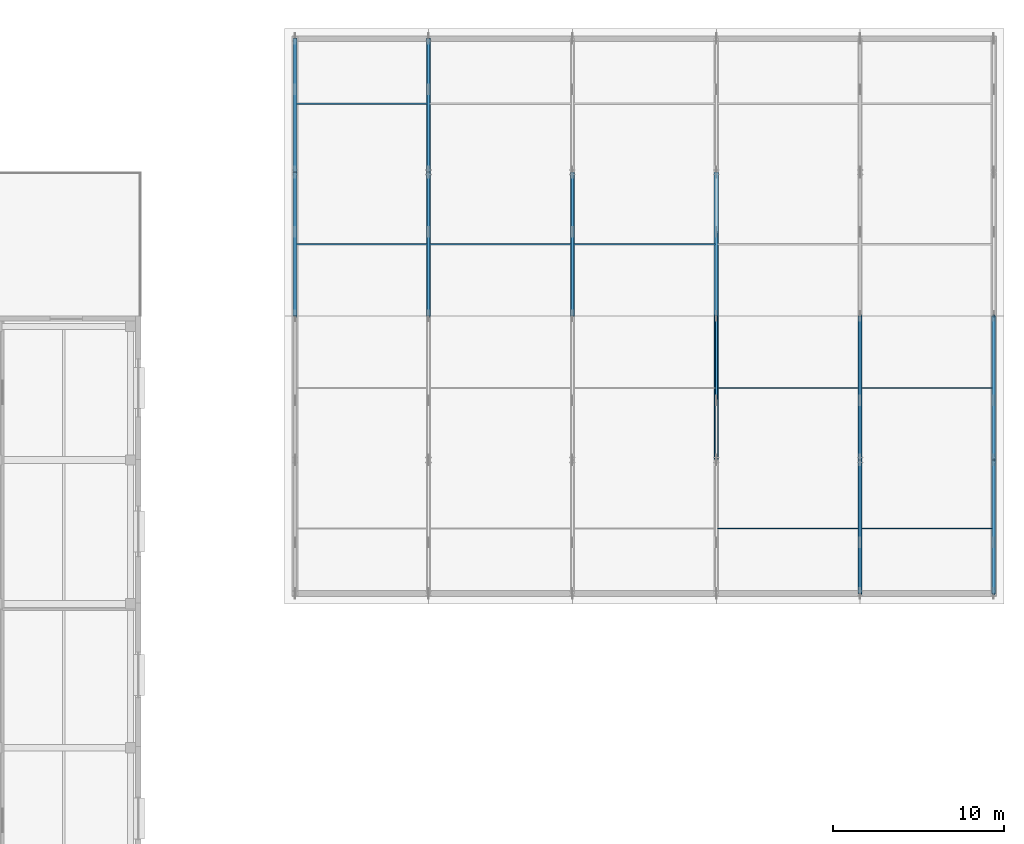
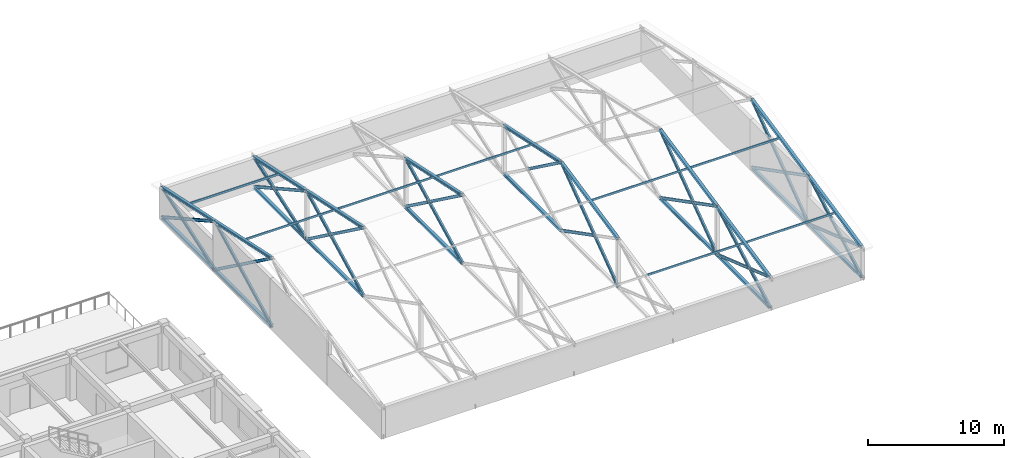
# One storey, part 84 of 123: 59 members.
"""IFC4 building model written with IfcOpenShell, lengths in metres."""

from ifc_helpers import new_model, si_unit, direction, frame, origin, origin_2d, place, context, subcontext, project, spatial, hollow_rectangle, i_section, extrude, material, material_profile, profile_set, type_object, element, save


model = new_model("IFC4")

# Units and contexts
model_context = context("Model", 3, precision=1e-05, world=origin(), true_north=direction((0.0, 1.0)))
body_context = subcontext(model_context, "Body", "Model", "MODEL_VIEW")
ifc_project = project(units=[si_unit("LENGTHUNIT", "METRE"), si_unit("AREAUNIT", "SQUARE_METRE"), si_unit("VOLUMEUNIT", "CUBIC_METRE"), si_unit("PLANEANGLEUNIT", "RADIAN"), si_unit("MASSUNIT", "GRAM", prefix="KILO")], contexts=[model_context])

# Site, building, storey
site_placement = place(None, origin())
site = spatial("IfcSite", under=ifc_project, at=site_placement, CompositionType="ELEMENT")
building_placement = place(site_placement, origin())
building = spatial("IfcBuilding", under=site, at=building_placement, Name="Zayran Congress Hotel", CompositionType="ELEMENT")
storey_placement = place(building_placement, frame((0.0, 0.0, 15.0)))
storey = spatial("IfcBuildingStorey", under=building, at=storey_placement, Name="L03", CompositionType="ELEMENT", Elevation=15.0)

# Members
ifc_material = material(Name="Steel S355", Category="steel")
ifc_material_profile_1 = material_profile(ifc_material, i_section(OverallWidth=0.239990234375, OverallDepth=0.239990234375, WebThickness=0.010009765625, FlangeThickness=0.01708984375, at=origin_2d()), Name="HEB 240")
ifc_profile_set_1 = profile_set([ifc_material_profile_1], Name="Steel S355")
member_type_1 = type_object("IfcMemberType", Name="TP-TR-CH1", PredefinedType="CHORD", material=ifc_profile_set_1)
member_1_placement = place(storey_placement, frame((143.39990234375, 101.199951171875, 0.0), z_axis=(0.0, 1.0, 0.0), x_axis=(-1.0, 0.0, 0.0)))
element("IfcMember", 1, at=member_1_placement, inside=storey, type_object=member_type_1, Name="Ballroom Truss Bottom Chord 582", PredefinedType="CHORD", context=body_context, shape_type="SweptSolid", body=[
    extrude(i_section(OverallWidth=0.239990234375, OverallDepth=0.239990234375, WebThickness=0.010009765625, FlangeThickness=0.01708984375, at=origin_2d()), origin(), (0.0, 0.0, 1.0), 8.400146484375),
])
member_2_placement = place(storey_placement, frame((143.39990234375, 101.199951171875, 6.12109375), z_axis=(0.0, 0.97814432608, -0.207927096258), x_axis=(-1.0, 0.0, 0.0)))
element("IfcMember", 2, at=member_2_placement, inside=storey, type_object=member_type_1, Name="Ballroom Truss Top Chord 583", PredefinedType="CHORD", context=body_context, shape_type="SweptSolid", body=[
    extrude(i_section(OverallWidth=0.239990234375, OverallDepth=0.239990234375, WebThickness=0.010009765625, FlangeThickness=0.01708984375, at=origin_2d()), origin(), (0.0, 0.0, 1.0), 8.587890625),
])
member_3_placement = place(storey_placement, frame((143.39990234375, 109.60009765625, 0.0), z_axis=(0.0, 1.0, 0.0), x_axis=(-1.0, 0.0, 0.0)))
element("IfcMember", 3, at=member_3_placement, inside=storey, type_object=member_type_1, Name="Ballroom Truss Bottom Chord 586", PredefinedType="CHORD", context=body_context, shape_type="SweptSolid", body=[
    extrude(i_section(OverallWidth=0.239990234375, OverallDepth=0.239990234375, WebThickness=0.010009765625, FlangeThickness=0.01708984375, at=origin_2d()), origin(), (0.0, 0.0, 1.0), 7.7998046875),
])
member_4_placement = place(storey_placement, frame((143.39990234375, 109.60009765625, 4.33544921875), z_axis=(0.0, 0.978146087871, -0.207918808149), x_axis=(-1.0, 0.0, 0.0)))
element("IfcMember", 4, at=member_4_placement, inside=storey, type_object=member_type_1, Name="Ballroom Truss Top Chord 587", PredefinedType="CHORD", context=body_context, shape_type="SweptSolid", body=[
    extrude(i_section(OverallWidth=0.239990234375, OverallDepth=0.239990234375, WebThickness=0.010009765625, FlangeThickness=0.01708984375, at=origin_2d()), origin(), (0.0, 0.0, 1.0), 7.97412109375),
])
member_5_placement = place(storey_placement, frame((151.199951171875, 101.199951171875, 0.0), z_axis=(0.0, 1.0, 0.0), x_axis=(-1.0, 0.0, 0.0)))
element("IfcMember", 5, at=member_5_placement, inside=storey, type_object=member_type_1, Name="Ballroom Truss Bottom Chord 598", PredefinedType="CHORD", context=body_context, shape_type="SweptSolid", body=[
    extrude(i_section(OverallWidth=0.239990234375, OverallDepth=0.239990234375, WebThickness=0.010009765625, FlangeThickness=0.01708984375, at=origin_2d()), origin(), (0.0, 0.0, 1.0), 8.400146484375),
])
member_6_placement = place(storey_placement, frame((151.199951171875, 101.199951171875, 6.12109375), z_axis=(0.0, 0.97814432608, -0.207927096258), x_axis=(-1.0, 0.0, 0.0)))
element("IfcMember", 6, at=member_6_placement, inside=storey, type_object=member_type_1, Name="Ballroom Truss Top Chord 599", PredefinedType="CHORD", context=body_context, shape_type="SweptSolid", body=[
    extrude(i_section(OverallWidth=0.239990234375, OverallDepth=0.239990234375, WebThickness=0.010009765625, FlangeThickness=0.01708984375, at=origin_2d()), origin(), (0.0, 0.0, 1.0), 8.587890625),
])
member_7_placement = place(storey_placement, frame((151.199951171875, 109.60009765625, 0.0), z_axis=(0.0, 1.0, 0.0), x_axis=(-1.0, 0.0, 0.0)))
element("IfcMember", 7, at=member_7_placement, inside=storey, type_object=member_type_1, Name="Ballroom Truss Bottom Chord 602", PredefinedType="CHORD", context=body_context, shape_type="SweptSolid", body=[
    extrude(i_section(OverallWidth=0.239990234375, OverallDepth=0.239990234375, WebThickness=0.010009765625, FlangeThickness=0.01708984375, at=origin_2d()), origin(), (0.0, 0.0, 1.0), 7.7998046875),
])
member_8_placement = place(storey_placement, frame((151.199951171875, 109.60009765625, 4.33544921875), z_axis=(0.0, 0.978146087871, -0.207918808149), x_axis=(-1.0, 0.0, 0.0)))
element("IfcMember", 8, at=member_8_placement, inside=storey, type_object=member_type_1, Name="Ballroom Truss Top Chord 603", PredefinedType="CHORD", context=body_context, shape_type="SweptSolid", body=[
    extrude(i_section(OverallWidth=0.239990234375, OverallDepth=0.239990234375, WebThickness=0.010009765625, FlangeThickness=0.01708984375, at=origin_2d()), origin(), (0.0, 0.0, 1.0), 7.97412109375),
])
member_9_placement = place(storey_placement, frame((159.60009765625, 101.199951171875, 0.0), z_axis=(0.0, 1.0, 0.0), x_axis=(-1.0, 0.0, 0.0)))
element("IfcMember", 9, at=member_9_placement, inside=storey, type_object=member_type_1, Name="Ballroom Truss Bottom Chord 614", PredefinedType="CHORD", context=body_context, shape_type="SweptSolid", body=[
    extrude(i_section(OverallWidth=0.239990234375, OverallDepth=0.239990234375, WebThickness=0.010009765625, FlangeThickness=0.01708984375, at=origin_2d()), origin(), (0.0, 0.0, 1.0), 8.400146484375),
])
member_10_placement = place(storey_placement, frame((159.60009765625, 101.199951171875, 6.12109375), z_axis=(0.0, 0.97814432608, -0.207927096258), x_axis=(-1.0, 0.0, 0.0)))
element("IfcMember", 10, at=member_10_placement, inside=storey, type_object=member_type_1, Name="Ballroom Truss Top Chord 615", PredefinedType="CHORD", context=body_context, shape_type="SweptSolid", body=[
    extrude(i_section(OverallWidth=0.239990234375, OverallDepth=0.239990234375, WebThickness=0.010009765625, FlangeThickness=0.01708984375, at=origin_2d()), origin(), (0.0, 0.0, 1.0), 8.587890625),
])
member_11_placement = place(storey_placement, frame((168.0, 92.800048828125, 4.33544921875), z_axis=(0.0, 0.978143096954, 0.20793287831), x_axis=(-1.0, 0.0, 0.0)))
element("IfcMember", 11, at=member_11_placement, inside=storey, type_object=member_type_1, Name="Ballroom Truss Top Chord 627", PredefinedType="CHORD", context=body_context, shape_type="SweptSolid", body=[
    extrude(i_section(OverallWidth=0.239990234375, OverallDepth=0.239990234375, WebThickness=0.010009765625, FlangeThickness=0.01708984375, at=origin_2d()), origin(), (0.0, 0.0, 1.0), 8.587646484375),
])
member_12_placement = place(storey_placement, frame((168.0, 101.199951171875, 0.0), z_axis=(0.0, 1.0, 0.0), x_axis=(-1.0, 0.0, 0.0)))
element("IfcMember", 12, at=member_12_placement, inside=storey, type_object=member_type_1, Name="Ballroom Truss Bottom Chord 630", PredefinedType="CHORD", context=body_context, shape_type="SweptSolid", body=[
    extrude(i_section(OverallWidth=0.239990234375, OverallDepth=0.239990234375, WebThickness=0.010009765625, FlangeThickness=0.01708984375, at=origin_2d()), origin(), (0.0, 0.0, 1.0), 8.400146484375),
])
member_13_placement = place(storey_placement, frame((168.0, 101.199951171875, 6.12109375), z_axis=(0.0, 0.97814432608, -0.207927096258), x_axis=(-1.0, 0.0, 0.0)))
element("IfcMember", 13, at=member_13_placement, inside=storey, type_object=member_type_1, Name="Ballroom Truss Top Chord 631", PredefinedType="CHORD", context=body_context, shape_type="SweptSolid", body=[
    extrude(i_section(OverallWidth=0.239990234375, OverallDepth=0.239990234375, WebThickness=0.010009765625, FlangeThickness=0.01708984375, at=origin_2d()), origin(), (0.0, 0.0, 1.0), 8.587890625),
])
member_14_placement = place(storey_placement, frame((176.39990234375, 85.0, 0.0), z_axis=(0.0, 1.0, 0.0), x_axis=(-1.0, 0.0, 0.0)))
element("IfcMember", 14, at=member_14_placement, inside=storey, type_object=member_type_1, Name="Ballroom Truss Bottom Chord 638", PredefinedType="CHORD", context=body_context, shape_type="SweptSolid", body=[
    extrude(i_section(OverallWidth=0.239990234375, OverallDepth=0.239990234375, WebThickness=0.010009765625, FlangeThickness=0.01708984375, at=origin_2d()), origin(), (0.0, 0.0, 1.0), 7.800048828125),
])
member_15_placement = place(storey_placement, frame((176.39990234375, 85.0, 2.677490234375), z_axis=(0.0, 0.978147411384, 0.207912581637), x_axis=(-1.0, 0.0, 0.0)))
element("IfcMember", 15, at=member_15_placement, inside=storey, type_object=member_type_1, Name="Ballroom Truss Top Chord 639", PredefinedType="CHORD", context=body_context, shape_type="SweptSolid", body=[
    extrude(i_section(OverallWidth=0.239990234375, OverallDepth=0.239990234375, WebThickness=0.010009765625, FlangeThickness=0.01708984375, at=origin_2d()), origin(), (0.0, 0.0, 1.0), 7.974365234375),
])
member_16_placement = place(storey_placement, frame((176.39990234375, 92.800048828125, 0.0), z_axis=(0.0, 1.0, 0.0), x_axis=(-1.0, 0.0, 0.0)))
element("IfcMember", 16, at=member_16_placement, inside=storey, type_object=member_type_1, Name="Ballroom Truss Bottom Chord 642", PredefinedType="CHORD", context=body_context, shape_type="SweptSolid", body=[
    extrude(i_section(OverallWidth=0.239990234375, OverallDepth=0.239990234375, WebThickness=0.010009765625, FlangeThickness=0.01708984375, at=origin_2d()), origin(), (0.0, 0.0, 1.0), 8.39990234375),
])
member_17_placement = place(storey_placement, frame((176.39990234375, 92.800048828125, 4.33544921875), z_axis=(0.0, 0.978143096954, 0.20793287831), x_axis=(-1.0, 0.0, 0.0)))
element("IfcMember", 17, at=member_17_placement, inside=storey, type_object=member_type_1, Name="Ballroom Truss Top Chord 643", PredefinedType="CHORD", context=body_context, shape_type="SweptSolid", body=[
    extrude(i_section(OverallWidth=0.239990234375, OverallDepth=0.239990234375, WebThickness=0.010009765625, FlangeThickness=0.01708984375, at=origin_2d()), origin(), (0.0, 0.0, 1.0), 8.587646484375),
])
member_18_placement = place(storey_placement, frame((184.199951171875, 85.0, 0.0), z_axis=(0.0, 1.0, 0.0), x_axis=(-1.0, 0.0, 0.0)))
element("IfcMember", 18, at=member_18_placement, inside=storey, type_object=member_type_1, Name="Ballroom Truss Bottom Chord 654", PredefinedType="CHORD", context=body_context, shape_type="SweptSolid", body=[
    extrude(i_section(OverallWidth=0.239990234375, OverallDepth=0.239990234375, WebThickness=0.010009765625, FlangeThickness=0.01708984375, at=origin_2d()), origin(), (0.0, 0.0, 1.0), 7.800048828125),
])
member_19_placement = place(storey_placement, frame((184.199951171875, 85.0, 2.677490234375), z_axis=(0.0, 0.978147411384, 0.207912581637), x_axis=(-1.0, 0.0, 0.0)))
element("IfcMember", 19, at=member_19_placement, inside=storey, type_object=member_type_1, Name="Ballroom Truss Top Chord 655", PredefinedType="CHORD", context=body_context, shape_type="SweptSolid", body=[
    extrude(i_section(OverallWidth=0.239990234375, OverallDepth=0.239990234375, WebThickness=0.010009765625, FlangeThickness=0.01708984375, at=origin_2d()), origin(), (0.0, 0.0, 1.0), 7.974365234375),
])
member_20_placement = place(storey_placement, frame((184.199951171875, 92.800048828125, 0.0), z_axis=(0.0, 1.0, 0.0), x_axis=(-1.0, 0.0, 0.0)))
element("IfcMember", 20, at=member_20_placement, inside=storey, type_object=member_type_1, Name="Ballroom Truss Bottom Chord 658", PredefinedType="CHORD", context=body_context, shape_type="SweptSolid", body=[
    extrude(i_section(OverallWidth=0.239990234375, OverallDepth=0.239990234375, WebThickness=0.010009765625, FlangeThickness=0.01708984375, at=origin_2d()), origin(), (0.0, 0.0, 1.0), 8.39990234375),
])
member_21_placement = place(storey_placement, frame((184.199951171875, 92.800048828125, 4.33544921875), z_axis=(0.0, 0.978143096954, 0.20793287831), x_axis=(-1.0, 0.0, 0.0)))
element("IfcMember", 21, at=member_21_placement, inside=storey, type_object=member_type_1, Name="Ballroom Truss Top Chord 659", PredefinedType="CHORD", context=body_context, shape_type="SweptSolid", body=[
    extrude(i_section(OverallWidth=0.239990234375, OverallDepth=0.239990234375, WebThickness=0.010009765625, FlangeThickness=0.01708984375, at=origin_2d()), origin(), (0.0, 0.0, 1.0), 8.587646484375),
])
ifc_material_profile_2 = material_profile(ifc_material, i_section(OverallWidth=0.14990234375, OverallDepth=0.300048828125, WebThickness=0.007080078125, FlangeThickness=0.0107421875, at=origin_2d()), Name="IPE 300")
ifc_profile_set_2 = profile_set([ifc_material_profile_2], Name="Steel S355")
member_type_2 = type_object("IfcMemberType", Name="TP-TR-BR1", PredefinedType="BRACE", material=ifc_profile_set_2)
member_22_placement = place(storey_placement, frame((143.39990234375, 101.199951171875, 0.0), z_axis=(0.0, 0.888625410681, 0.458633709503), x_axis=(-1.0, 0.0, 0.0)))
element("IfcMember", 22, at=member_22_placement, inside=storey, type_object=member_type_2, Name="Ballroom Truss Web Diagonal 584", PredefinedType="BRACE", context=body_context, shape_type="SweptSolid", body=[
    extrude(i_section(OverallWidth=0.14990234375, OverallDepth=0.300048828125, WebThickness=0.007080078125, FlangeThickness=0.0107421875, at=origin_2d()), origin(), (0.0, 0.0, 1.0), 9.452880859375),
])
member_23_placement = place(storey_placement, frame((143.39990234375, 109.60009765625, 0.0), z_axis=(0.0, 0.945824171831, 0.324679281723), x_axis=(-1.0, 0.0, 0.0)))
element("IfcMember", 23, at=member_23_placement, inside=storey, type_object=member_type_2, Name="Ballroom Truss Web Diagonal 588", PredefinedType="BRACE", context=body_context, shape_type="SweptSolid", body=[
    extrude(i_section(OverallWidth=0.14990234375, OverallDepth=0.300048828125, WebThickness=0.007080078125, FlangeThickness=0.0107421875, at=origin_2d()), origin(), (0.0, 0.0, 1.0), 8.24658203125),
])
member_24_placement = place(storey_placement, frame((151.199951171875, 101.199951171875, 0.0), z_axis=(0.0, 0.888625410681, 0.458633709503), x_axis=(-1.0, 0.0, 0.0)))
element("IfcMember", 24, at=member_24_placement, inside=storey, type_object=member_type_2, Name="Ballroom Truss Web Diagonal 600", PredefinedType="BRACE", context=body_context, shape_type="SweptSolid", body=[
    extrude(i_section(OverallWidth=0.14990234375, OverallDepth=0.300048828125, WebThickness=0.007080078125, FlangeThickness=0.0107421875, at=origin_2d()), origin(), (0.0, 0.0, 1.0), 9.452880859375),
])
member_25_placement = place(storey_placement, frame((151.199951171875, 109.60009765625, 0.0), z_axis=(0.0, 0.945824171831, 0.324679281723), x_axis=(-1.0, 0.0, 0.0)))
element("IfcMember", 25, at=member_25_placement, inside=storey, type_object=member_type_2, Name="Ballroom Truss Web Diagonal 604", PredefinedType="BRACE", context=body_context, shape_type="SweptSolid", body=[
    extrude(i_section(OverallWidth=0.14990234375, OverallDepth=0.300048828125, WebThickness=0.007080078125, FlangeThickness=0.0107421875, at=origin_2d()), origin(), (0.0, 0.0, 1.0), 8.24658203125),
])
member_26_placement = place(storey_placement, frame((159.60009765625, 101.199951171875, 0.0), z_axis=(0.0, 0.888625410681, 0.458633709503), x_axis=(-1.0, 0.0, 0.0)))
element("IfcMember", 26, at=member_26_placement, inside=storey, type_object=member_type_2, Name="Ballroom Truss Web Diagonal 616", PredefinedType="BRACE", context=body_context, shape_type="SweptSolid", body=[
    extrude(i_section(OverallWidth=0.14990234375, OverallDepth=0.300048828125, WebThickness=0.007080078125, FlangeThickness=0.0107421875, at=origin_2d()), origin(), (0.0, 0.0, 1.0), 9.452880859375),
])
member_27_placement = place(storey_placement, frame((168.0, 92.800048828125, 0.0), z_axis=(0.0, 0.808183150447, 0.588931231413), x_axis=(-1.0, 0.0, 0.0)))
element("IfcMember", 27, at=member_27_placement, inside=storey, type_object=member_type_2, Name="Ballroom Truss Web Diagonal 628", PredefinedType="BRACE", context=body_context, shape_type="SweptSolid", body=[
    extrude(i_section(OverallWidth=0.14990234375, OverallDepth=0.300048828125, WebThickness=0.007080078125, FlangeThickness=0.0107421875, at=origin_2d()), origin(), (0.0, 0.0, 1.0), 10.3935546875),
])
member_28_placement = place(storey_placement, frame((176.39990234375, 85.0, 0.0), z_axis=(0.0, 0.874057891827, 0.485821779807), x_axis=(-1.0, 0.0, 0.0)))
element("IfcMember", 28, at=member_28_placement, inside=storey, type_object=member_type_2, Name="Ballroom Truss Web Diagonal 640", PredefinedType="BRACE", context=body_context, shape_type="SweptSolid", body=[
    extrude(i_section(OverallWidth=0.14990234375, OverallDepth=0.300048828125, WebThickness=0.007080078125, FlangeThickness=0.0107421875, at=origin_2d()), origin(), (0.0, 0.0, 1.0), 8.923828125),
])
member_29_placement = place(storey_placement, frame((176.39990234375, 92.800048828125, 0.0), z_axis=(0.0, 0.808183150447, 0.588931231413), x_axis=(-1.0, 0.0, 0.0)))
element("IfcMember", 29, at=member_29_placement, inside=storey, type_object=member_type_2, Name="Ballroom Truss Web Diagonal 644", PredefinedType="BRACE", context=body_context, shape_type="SweptSolid", body=[
    extrude(i_section(OverallWidth=0.14990234375, OverallDepth=0.300048828125, WebThickness=0.007080078125, FlangeThickness=0.0107421875, at=origin_2d()), origin(), (0.0, 0.0, 1.0), 10.3935546875),
])
member_30_placement = place(storey_placement, frame((184.199951171875, 85.0, 0.0), z_axis=(0.0, 0.874057891827, 0.485821779807), x_axis=(-1.0, 0.0, 0.0)))
element("IfcMember", 30, at=member_30_placement, inside=storey, type_object=member_type_2, Name="Ballroom Truss Web Diagonal 656", PredefinedType="BRACE", context=body_context, shape_type="SweptSolid", body=[
    extrude(i_section(OverallWidth=0.14990234375, OverallDepth=0.300048828125, WebThickness=0.007080078125, FlangeThickness=0.0107421875, at=origin_2d()), origin(), (0.0, 0.0, 1.0), 8.923828125),
])
member_31_placement = place(storey_placement, frame((184.199951171875, 92.800048828125, 0.0), z_axis=(0.0, 0.808183150447, 0.588931231413), x_axis=(-1.0, 0.0, 0.0)))
element("IfcMember", 31, at=member_31_placement, inside=storey, type_object=member_type_2, Name="Ballroom Truss Web Diagonal 660", PredefinedType="BRACE", context=body_context, shape_type="SweptSolid", body=[
    extrude(i_section(OverallWidth=0.14990234375, OverallDepth=0.300048828125, WebThickness=0.007080078125, FlangeThickness=0.0107421875, at=origin_2d()), origin(), (0.0, 0.0, 1.0), 10.3935546875),
])
ifc_material_profile_3 = material_profile(ifc_material, i_section(OverallWidth=0.1201171875, OverallDepth=0.239990234375, WebThickness=0.006103515625, FlangeThickness=0.009765625, at=origin_2d()), Name="IPE 240")
ifc_profile_set_3 = profile_set([ifc_material_profile_3], Name="Steel S355")
member_type_3 = type_object("IfcMemberType", Name="TP-TR-BR2", PredefinedType="BRACE", material=ifc_profile_set_3)
member_32_placement = place(storey_placement, frame((143.39990234375, 101.199951171875, 6.12109375), z_axis=(0.0, 0.8081738606, -0.588943979545), x_axis=(-1.0, 0.0, 0.0)))
element("IfcMember", 32, at=member_32_placement, inside=storey, type_object=member_type_3, Name="Ballroom Truss Counter Diagonal Upper 585", PredefinedType="BRACE", context=body_context, shape_type="SweptSolid", body=[
    extrude(i_section(OverallWidth=0.1201171875, OverallDepth=0.239990234375, WebThickness=0.006103515625, FlangeThickness=0.009765625, at=origin_2d()), origin(), (0.0, 0.0, 1.0), 6.0693359375),
])
member_33_placement = place(storey_placement, frame((143.39990234375, 106.12939453125, 2.529052734375), z_axis=(0.0, 0.808192429021, -0.588918498328), x_axis=(-1.0, 0.0, 0.0)))
element("IfcMember", 33, at=member_33_placement, inside=storey, type_object=member_type_3, Name="Ballroom Truss Counter Diagonal Lower 91", PredefinedType="BRACE", context=body_context, shape_type="SweptSolid", body=[
    extrude(i_section(OverallWidth=0.1201171875, OverallDepth=0.239990234375, WebThickness=0.006103515625, FlangeThickness=0.009765625, at=origin_2d()), origin(), (0.0, 0.0, 1.0), 4.29443359375),
])
member_34_placement = place(storey_placement, frame((143.39990234375, 109.60009765625, 4.33544921875), z_axis=(0.0, 0.874058879141, -0.485820003495), x_axis=(-1.0, 0.0, 0.0)))
element("IfcMember", 34, at=member_34_placement, inside=storey, type_object=member_type_3, Name="Ballroom Truss Counter Diagonal Upper 589", PredefinedType="BRACE", context=body_context, shape_type="SweptSolid", body=[
    extrude(i_section(OverallWidth=0.1201171875, OverallDepth=0.239990234375, WebThickness=0.006103515625, FlangeThickness=0.009765625, at=origin_2d()), origin(), (0.0, 0.0, 1.0), 5.501708984375),
])
member_35_placement = place(storey_placement, frame((143.39990234375, 114.43505859375, 1.64794921875), z_axis=(0.0, 0.87405540653, -0.485826251159), x_axis=(-1.0, 0.0, 0.0)))
element("IfcMember", 35, at=member_35_placement, inside=storey, type_object=member_type_3, Name="Ballroom Truss Counter Diagonal Lower 92", PredefinedType="BRACE", context=body_context, shape_type="SweptSolid", body=[
    extrude(i_section(OverallWidth=0.1201171875, OverallDepth=0.239990234375, WebThickness=0.006103515625, FlangeThickness=0.009765625, at=origin_2d()), origin(), (0.0, 0.0, 1.0), 3.39208984375),
])
member_36_placement = place(storey_placement, frame((151.199951171875, 101.199951171875, 6.12109375), z_axis=(0.0, 0.8081738606, -0.588943979545), x_axis=(-1.0, 0.0, 0.0)))
element("IfcMember", 36, at=member_36_placement, inside=storey, type_object=member_type_3, Name="Ballroom Truss Counter Diagonal Upper 601", PredefinedType="BRACE", context=body_context, shape_type="SweptSolid", body=[
    extrude(i_section(OverallWidth=0.1201171875, OverallDepth=0.239990234375, WebThickness=0.006103515625, FlangeThickness=0.009765625, at=origin_2d()), origin(), (0.0, 0.0, 1.0), 6.0693359375),
])
member_37_placement = place(storey_placement, frame((151.199951171875, 106.12939453125, 2.529052734375), z_axis=(0.0, 0.808192429021, -0.588918498328), x_axis=(-1.0, 0.0, 0.0)))
element("IfcMember", 37, at=member_37_placement, inside=storey, type_object=member_type_3, Name="Ballroom Truss Counter Diagonal Lower 95", PredefinedType="BRACE", context=body_context, shape_type="SweptSolid", body=[
    extrude(i_section(OverallWidth=0.1201171875, OverallDepth=0.239990234375, WebThickness=0.006103515625, FlangeThickness=0.009765625, at=origin_2d()), origin(), (0.0, 0.0, 1.0), 4.29443359375),
])
member_38_placement = place(storey_placement, frame((151.199951171875, 109.60009765625, 4.33544921875), z_axis=(0.0, 0.874058879141, -0.485820003495), x_axis=(-1.0, 0.0, 0.0)))
element("IfcMember", 38, at=member_38_placement, inside=storey, type_object=member_type_3, Name="Ballroom Truss Counter Diagonal Upper 605", PredefinedType="BRACE", context=body_context, shape_type="SweptSolid", body=[
    extrude(i_section(OverallWidth=0.1201171875, OverallDepth=0.239990234375, WebThickness=0.006103515625, FlangeThickness=0.009765625, at=origin_2d()), origin(), (0.0, 0.0, 1.0), 5.501708984375),
])
member_39_placement = place(storey_placement, frame((151.199951171875, 114.43505859375, 1.64794921875), z_axis=(0.0, 0.87405540653, -0.485826251159), x_axis=(-1.0, 0.0, 0.0)))
element("IfcMember", 39, at=member_39_placement, inside=storey, type_object=member_type_3, Name="Ballroom Truss Counter Diagonal Lower 96", PredefinedType="BRACE", context=body_context, shape_type="SweptSolid", body=[
    extrude(i_section(OverallWidth=0.1201171875, OverallDepth=0.239990234375, WebThickness=0.006103515625, FlangeThickness=0.009765625, at=origin_2d()), origin(), (0.0, 0.0, 1.0), 3.39208984375),
])
member_40_placement = place(storey_placement, frame((159.60009765625, 101.199951171875, 6.12109375), z_axis=(0.0, 0.8081738606, -0.588943979545), x_axis=(-1.0, 0.0, 0.0)))
element("IfcMember", 40, at=member_40_placement, inside=storey, type_object=member_type_3, Name="Ballroom Truss Counter Diagonal Upper 617", PredefinedType="BRACE", context=body_context, shape_type="SweptSolid", body=[
    extrude(i_section(OverallWidth=0.1201171875, OverallDepth=0.239990234375, WebThickness=0.006103515625, FlangeThickness=0.009765625, at=origin_2d()), origin(), (0.0, 0.0, 1.0), 6.0693359375),
])
member_41_placement = place(storey_placement, frame((159.60009765625, 106.12939453125, 2.529052734375), z_axis=(0.0, 0.808192429021, -0.588918498328), x_axis=(-1.0, 0.0, 0.0)))
element("IfcMember", 41, at=member_41_placement, inside=storey, type_object=member_type_3, Name="Ballroom Truss Counter Diagonal Lower 99", PredefinedType="BRACE", context=body_context, shape_type="SweptSolid", body=[
    extrude(i_section(OverallWidth=0.1201171875, OverallDepth=0.239990234375, WebThickness=0.006103515625, FlangeThickness=0.009765625, at=origin_2d()), origin(), (0.0, 0.0, 1.0), 4.29443359375),
])
member_42_placement = place(storey_placement, frame((168.0, 96.296142578125, 2.531005859375), z_axis=(0.0, 0.888620075417, -0.458644046692), x_axis=(-1.0, 0.0, 0.0)))
element("IfcMember", 42, at=member_42_placement, inside=storey, type_object=member_type_3, Name="Ballroom Truss Counter Diagonal Lower 102", PredefinedType="BRACE", context=body_context, shape_type="SweptSolid", body=[
    extrude(i_section(OverallWidth=0.1201171875, OverallDepth=0.239990234375, WebThickness=0.006103515625, FlangeThickness=0.009765625, at=origin_2d()), origin(), (0.0, 0.0, 1.0), 5.5185546875),
])
member_43_placement = place(storey_placement, frame((168.0, 101.199951171875, 6.12109375), z_axis=(0.0, 0.8081738606, -0.588943979545), x_axis=(-1.0, 0.0, 0.0)))
element("IfcMember", 43, at=member_43_placement, inside=storey, type_object=member_type_3, Name="Ballroom Truss Counter Diagonal Upper 633", PredefinedType="BRACE", context=body_context, shape_type="SweptSolid", body=[
    extrude(i_section(OverallWidth=0.1201171875, OverallDepth=0.239990234375, WebThickness=0.006103515625, FlangeThickness=0.009765625, at=origin_2d()), origin(), (0.0, 0.0, 1.0), 6.0693359375),
])
member_44_placement = place(storey_placement, frame((176.39990234375, 85.0, 2.677490234375), z_axis=(0.0, 0.945833206056, -0.324652962903), x_axis=(-1.0, 0.0, 0.0)))
element("IfcMember", 44, at=member_44_placement, inside=storey, type_object=member_type_3, Name="Ballroom Truss Counter Diagonal Upper 641", PredefinedType="BRACE", context=body_context, shape_type="SweptSolid", body=[
    extrude(i_section(OverallWidth=0.1201171875, OverallDepth=0.239990234375, WebThickness=0.006103515625, FlangeThickness=0.009765625, at=origin_2d()), origin(), (0.0, 0.0, 1.0), 3.133544921875),
])
member_45_placement = place(storey_placement, frame((176.39990234375, 87.9921875, 1.650390625), z_axis=(0.0, 0.945826318984, -0.324673026778), x_axis=(-1.0, 0.0, 0.0)))
element("IfcMember", 45, at=member_45_placement, inside=storey, type_object=member_type_3, Name="Ballroom Truss Counter Diagonal Lower 105", PredefinedType="BRACE", context=body_context, shape_type="SweptSolid", body=[
    extrude(i_section(OverallWidth=0.1201171875, OverallDepth=0.239990234375, WebThickness=0.006103515625, FlangeThickness=0.009765625, at=origin_2d()), origin(), (0.0, 0.0, 1.0), 5.083251953125),
])
member_46_placement = place(storey_placement, frame((176.39990234375, 92.800048828125, 4.33544921875), z_axis=(0.0, 0.888638742787, -0.458607876969), x_axis=(-1.0, 0.0, 0.0)))
element("IfcMember", 46, at=member_46_placement, inside=storey, type_object=member_type_3, Name="Ballroom Truss Counter Diagonal Upper 645", PredefinedType="BRACE", context=body_context, shape_type="SweptSolid", body=[
    extrude(i_section(OverallWidth=0.1201171875, OverallDepth=0.239990234375, WebThickness=0.006103515625, FlangeThickness=0.009765625, at=origin_2d()), origin(), (0.0, 0.0, 1.0), 3.904296875),
])
member_47_placement = place(storey_placement, frame((176.39990234375, 96.296142578125, 2.531005859375), z_axis=(0.0, 0.888620075417, -0.458644046692), x_axis=(-1.0, 0.0, 0.0)))
element("IfcMember", 47, at=member_47_placement, inside=storey, type_object=member_type_3, Name="Ballroom Truss Counter Diagonal Lower 106", PredefinedType="BRACE", context=body_context, shape_type="SweptSolid", body=[
    extrude(i_section(OverallWidth=0.1201171875, OverallDepth=0.239990234375, WebThickness=0.006103515625, FlangeThickness=0.009765625, at=origin_2d()), origin(), (0.0, 0.0, 1.0), 5.5185546875),
])
member_48_placement = place(storey_placement, frame((184.199951171875, 85.0, 2.677490234375), z_axis=(0.0, 0.945833206056, -0.324652962903), x_axis=(-1.0, 0.0, 0.0)))
element("IfcMember", 48, at=member_48_placement, inside=storey, type_object=member_type_3, Name="Ballroom Truss Counter Diagonal Upper 657", PredefinedType="BRACE", context=body_context, shape_type="SweptSolid", body=[
    extrude(i_section(OverallWidth=0.1201171875, OverallDepth=0.239990234375, WebThickness=0.006103515625, FlangeThickness=0.009765625, at=origin_2d()), origin(), (0.0, 0.0, 1.0), 3.133544921875),
])
member_49_placement = place(storey_placement, frame((184.199951171875, 87.9921875, 1.650390625), z_axis=(0.0, 0.945826318984, -0.324673026778), x_axis=(-1.0, 0.0, 0.0)))
element("IfcMember", 49, at=member_49_placement, inside=storey, type_object=member_type_3, Name="Ballroom Truss Counter Diagonal Lower 109", PredefinedType="BRACE", context=body_context, shape_type="SweptSolid", body=[
    extrude(i_section(OverallWidth=0.1201171875, OverallDepth=0.239990234375, WebThickness=0.006103515625, FlangeThickness=0.009765625, at=origin_2d()), origin(), (0.0, 0.0, 1.0), 5.083251953125),
])
member_50_placement = place(storey_placement, frame((184.199951171875, 92.800048828125, 4.33544921875), z_axis=(0.0, 0.888638742787, -0.458607876969), x_axis=(-1.0, 0.0, 0.0)))
element("IfcMember", 50, at=member_50_placement, inside=storey, type_object=member_type_3, Name="Ballroom Truss Counter Diagonal Upper 661", PredefinedType="BRACE", context=body_context, shape_type="SweptSolid", body=[
    extrude(i_section(OverallWidth=0.1201171875, OverallDepth=0.239990234375, WebThickness=0.006103515625, FlangeThickness=0.009765625, at=origin_2d()), origin(), (0.0, 0.0, 1.0), 3.904296875),
])
member_51_placement = place(storey_placement, frame((184.199951171875, 96.296142578125, 2.531005859375), z_axis=(0.0, 0.888620075417, -0.458644046692), x_axis=(-1.0, 0.0, 0.0)))
element("IfcMember", 51, at=member_51_placement, inside=storey, type_object=member_type_3, Name="Ballroom Truss Counter Diagonal Lower 110", PredefinedType="BRACE", context=body_context, shape_type="SweptSolid", body=[
    extrude(i_section(OverallWidth=0.1201171875, OverallDepth=0.239990234375, WebThickness=0.006103515625, FlangeThickness=0.009765625, at=origin_2d()), origin(), (0.0, 0.0, 1.0), 5.5185546875),
])
ifc_material_profile_4 = material_profile(ifc_material, hollow_rectangle(XDim=0.080078125, YDim=0.179931640625, WallThickness=0.0048828125, at=origin_2d()), Name="RHS 180x80x5")
ifc_profile_set_4 = profile_set([ifc_material_profile_4], Name="Steel S355")
member_type_4 = type_object("IfcMemberType", Name="TP-PR-02", PredefinedType="PURLIN", material=ifc_profile_set_4)
member_52_placement = place(storey_placement, frame((168.0, 88.800048828125, 3.46728515625), z_axis=(1.0, 0.0, 0.0), x_axis=(0.0, 1.0, 0.0)))
element("IfcMember", 52, at=member_52_placement, inside=storey, type_object=member_type_4, Name="MEM-PR-V2-0184", PredefinedType="PURLIN", context=body_context, shape_type="SweptSolid", body=[
    extrude(hollow_rectangle(XDim=0.080078125, YDim=0.179931640625, WallThickness=0.0048828125, at=origin_2d()), origin(), (0.0, 0.0, 1.0), 8.39990234375),
])
member_53_placement = place(storey_placement, frame((176.39990234375, 88.800048828125, 3.46728515625), z_axis=(1.0, 0.0, 0.0), x_axis=(0.0, 1.0, 0.0)))
element("IfcMember", 53, at=member_53_placement, inside=storey, type_object=member_type_4, Name="MEM-PR-V2-0185", PredefinedType="PURLIN", context=body_context, shape_type="SweptSolid", body=[
    extrude(hollow_rectangle(XDim=0.080078125, YDim=0.179931640625, WallThickness=0.0048828125, at=origin_2d()), origin(), (0.0, 0.0, 1.0), 7.800048828125),
])
member_54_placement = place(storey_placement, frame((168.0, 97.0, 5.210205078125), z_axis=(1.0, 0.0, 0.0), x_axis=(0.0, 1.0, 0.0)))
element("IfcMember", 54, at=member_54_placement, inside=storey, type_object=member_type_4, Name="MEM-PR-V2-0189", PredefinedType="PURLIN", context=body_context, shape_type="SweptSolid", body=[
    extrude(hollow_rectangle(XDim=0.080078125, YDim=0.179931640625, WallThickness=0.0048828125, at=origin_2d()), origin(), (0.0, 0.0, 1.0), 8.39990234375),
])
for number, where, z_axis, x_axis, name in (
    (55, (176.39990234375, 97.0, 5.210205078125), (1.0, 0.0, 0.0), (0.0, 1.0, 0.0), "MEM-PR-V2-0190"),
    (56, (143.39990234375, 105.39990234375, 5.210205078125), (1.0, 0.0, 0.0), (0.0, 1.0, 0.0), "MEM-PR-V2-0191"),
):
    element("IfcMember", number, at=place(storey_placement, frame(where, z_axis=z_axis, x_axis=x_axis)), inside=storey, type_object=member_type_4, Name=name, PredefinedType="PURLIN", context=body_context, shape_type="SweptSolid", body=[
        extrude(hollow_rectangle(XDim=0.080078125, YDim=0.179931640625, WallThickness=0.0048828125, at=origin_2d()), origin(), (0.0, 0.0, 1.0), 7.800048828125),
    ])
member_55_placement = place(storey_placement, frame((151.199951171875, 105.39990234375, 5.210205078125), z_axis=(1.0, 0.0, 0.0), x_axis=(0.0, 1.0, 0.0)))
element("IfcMember", 57, at=member_55_placement, inside=storey, type_object=member_type_4, Name="MEM-PR-V2-0192", PredefinedType="PURLIN", context=body_context, shape_type="SweptSolid", body=[
    extrude(hollow_rectangle(XDim=0.080078125, YDim=0.179931640625, WallThickness=0.0048828125, at=origin_2d()), origin(), (0.0, 0.0, 1.0), 8.400146484375),
])
member_56_placement = place(storey_placement, frame((159.60009765625, 105.39990234375, 5.210205078125), z_axis=(1.0, 0.0, 0.0), x_axis=(0.0, 1.0, 0.0)))
element("IfcMember", 58, at=member_56_placement, inside=storey, type_object=member_type_4, Name="MEM-PR-V2-0193", PredefinedType="PURLIN", context=body_context, shape_type="SweptSolid", body=[
    extrude(hollow_rectangle(XDim=0.080078125, YDim=0.179931640625, WallThickness=0.0048828125, at=origin_2d()), origin(), (0.0, 0.0, 1.0), 8.39990234375),
])
member_57_placement = place(storey_placement, frame((143.39990234375, 113.60009765625, 3.46728515625), z_axis=(1.0, 0.0, 0.0), x_axis=(0.0, 1.0, 0.0)))
element("IfcMember", 59, at=member_57_placement, inside=storey, type_object=member_type_4, Name="MEM-PR-V2-0196", PredefinedType="PURLIN", context=body_context, shape_type="SweptSolid", body=[
    extrude(hollow_rectangle(XDim=0.080078125, YDim=0.179931640625, WallThickness=0.0048828125, at=origin_2d()), origin(), (0.0, 0.0, 1.0), 7.800048828125),
])

save(model, "model.ifc")
